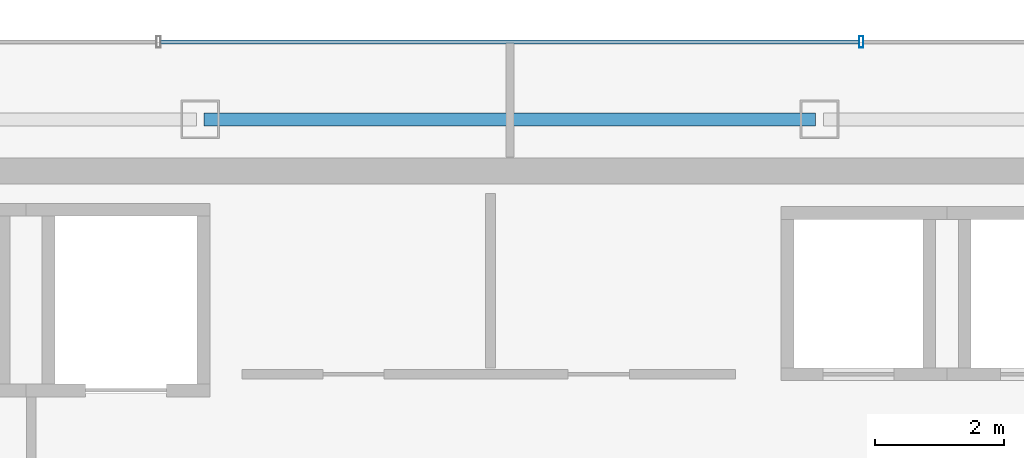
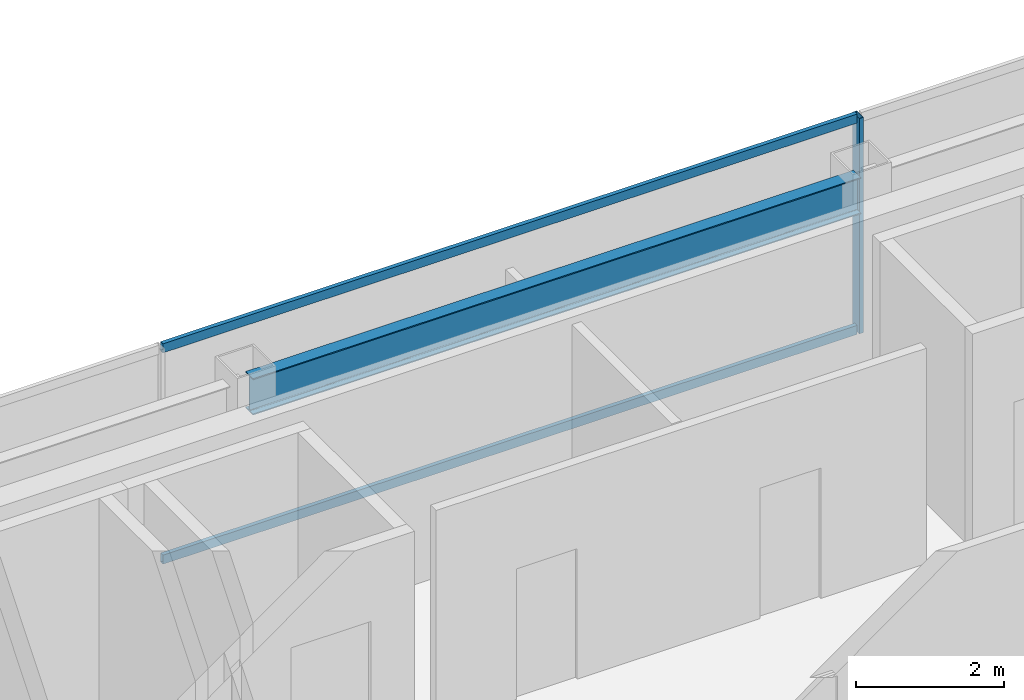
# One storey, part 11 of 23: 3 members, 1 beam, 1 element without a shape of its own.
"""IFC4 building model written with IfcOpenShell, lengths in metres."""

from ifc_helpers import new_model, si_unit, direction, frame, origin, origin_2d, place, context, subcontext, project, spatial, hollow_rectangle, i_section, extrude, material, material_profile, profile_set, type_object, element, aggregate, save


model = new_model("IFC4")

# Units and contexts
model_context = context("Model", 3, precision=1e-05, world=origin(), true_north=direction((0.0, 1.0)))
body_context = subcontext(model_context, "Body", "Model", "MODEL_VIEW")
ifc_project = project(units=[si_unit("LENGTHUNIT", "METRE"), si_unit("AREAUNIT", "SQUARE_METRE"), si_unit("VOLUMEUNIT", "CUBIC_METRE"), si_unit("PLANEANGLEUNIT", "RADIAN"), si_unit("MASSUNIT", "GRAM", prefix="KILO")], contexts=[model_context])

# Site, building, storey
site_placement = place(None, origin())
site = spatial("IfcSite", under=ifc_project, at=site_placement, CompositionType="ELEMENT")
building_placement = place(site_placement, origin())
building = spatial("IfcBuilding", under=site, at=building_placement, Name="Saevonmaru Cultural Tower", CompositionType="ELEMENT")
storey_placement = place(building_placement, frame((0.0, 0.0, 291.39990234375)))
storey = spatial("IfcBuildingStorey", under=building, at=storey_placement, Name="L69", CompositionType="ELEMENT", Elevation=291.39990234375)

# Beam
ifc_material_1 = material(Name="Steel SM355", Category="steel")
ifc_material_profile_1 = material_profile(ifc_material_1, i_section(OverallWidth=0.199951171875, OverallDepth=0.60009765625, WebThickness=0.010986328125, FlangeThickness=0.01708984375, FilletRadius=0.02197265625, at=origin_2d()), Name="H-600x200x11x17")
ifc_profile_set_1 = profile_set([ifc_material_profile_1], Name="Steel SM355")
beam_type = type_object("IfcBeamType", Name="BM-SP-H600", PredefinedType="SPANDREL", material=ifc_profile_set_1)
beam_placement = place(storey_placement, frame((25.260009765625, 54.800048828125, 3.25), z_axis=(1.0, 0.0, 0.0), x_axis=(0.0, 1.0, 0.0)))
element("IfcBeam", 1, at=beam_placement, inside=storey, type_object=beam_type, Name="L69 North Spine Girder 3", PredefinedType="SPANDREL", context=body_context, shape_type="SweptSolid", body=[
    extrude(i_section(OverallWidth=0.199951171875, OverallDepth=0.60009765625, WebThickness=0.010986328125, FlangeThickness=0.01708984375, FilletRadius=0.02197265625, at=origin_2d()), origin(), (0.0, 0.0, 1.0), 9.47998046875),
])

# Curtain wall, members
ifc_material_2 = material(Name="Satin Bronze Anodised Aluminium", Category="aluminium")
curtain_wall_type = type_object("IfcCurtainWallType", Name="CW-TYP-B", PredefinedType="NOTDEFINED", material=ifc_material_2)
curtain_wall_placement = place(storey_placement, origin())
curtain_wall = element("IfcCurtainWall", 2, at=curtain_wall_placement, inside=storey, type_object=curtain_wall_type, Name="L69 North Spine Unitised Curtain Wall E10B", PredefinedType="NOTDEFINED")
ifc_material_profile_2 = material_profile(ifc_material_2, hollow_rectangle(XDim=0.06494140625, YDim=0.179931640625, WallThickness=0.00390625, at=origin_2d()), Name="ALU-MULL-180x65x4")
ifc_profile_set_2 = profile_set([ifc_material_profile_2], Name="Satin Bronze Anodised Aluminium")
member_type_1 = type_object("IfcMemberType", Name="ML-CW-180x65", PredefinedType="MULLION", material=ifc_profile_set_2)
member_1_placement = place(storey_placement, frame((35.44677734375, 56.0, 0.0), z_axis=(0.0, 0.0, 1.0), x_axis=(-1.0, 0.0, 0.0)))
member_1 = element("IfcMember", 3, at=member_1_placement, type_object=member_type_1, Name="CW-TW-L69-E10B mullion 2", PredefinedType="MULLION", context=body_context, shape_type="SweptSolid", body=[
    extrude(hollow_rectangle(XDim=0.06494140625, YDim=0.179931640625, WallThickness=0.00390625, at=origin_2d()), origin(), (0.0, 0.0, 1.0), 3.550048828125),
])
ifc_material_profile_3 = material_profile(ifc_material_2, hollow_rectangle(XDim=0.06494140625, YDim=0.14990234375, WallThickness=0.00390625, at=origin_2d()), Name="ALU-TRAN-150x65x4")
ifc_profile_set_3 = profile_set([ifc_material_profile_3], Name="Satin Bronze Anodised Aluminium")
member_type_2 = type_object("IfcMemberType", Name="TR-CW-150x65", PredefinedType="USERDEFINED", material=ifc_profile_set_3)
member_2_placement = place(storey_placement, frame((35.4140625, 56.0, 0.03271484375), z_axis=(-1.0, 0.0, 0.0), x_axis=(0.0, -1.0, 0.0)))
member_2 = element("IfcMember", 4, at=member_2_placement, type_object=member_type_2, Name="CW-TW-L69-E10B transom 2.1", ObjectType="TRANSOM", PredefinedType="USERDEFINED", context=body_context, shape_type="SweptSolid", body=[
    extrude(hollow_rectangle(XDim=0.06494140625, YDim=0.14990234375, WallThickness=0.00390625, at=origin_2d()), origin(), (0.0, 0.0, 1.0), 10.828125),
])
member_3_placement = place(storey_placement, frame((35.4140625, 56.0, 3.517578125), z_axis=(-1.0, 0.0, 0.0), x_axis=(0.0, -1.0, 0.0)))
member_3 = element("IfcMember", 5, at=member_3_placement, type_object=member_type_2, Name="CW-TW-L69-E10B transom 2.2", ObjectType="TRANSOM", PredefinedType="USERDEFINED", context=body_context, shape_type="SweptSolid", body=[
    extrude(hollow_rectangle(XDim=0.06494140625, YDim=0.14990234375, WallThickness=0.00390625, at=origin_2d()), origin(), (0.0, 0.0, 1.0), 10.828125),
])
aggregate(curtain_wall, [member_1, member_2, member_3])

save(model, "model.ifc")
